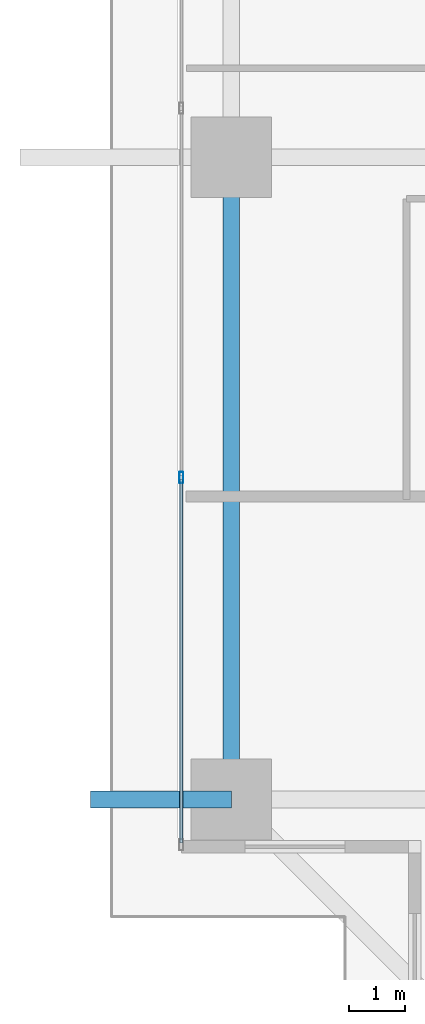
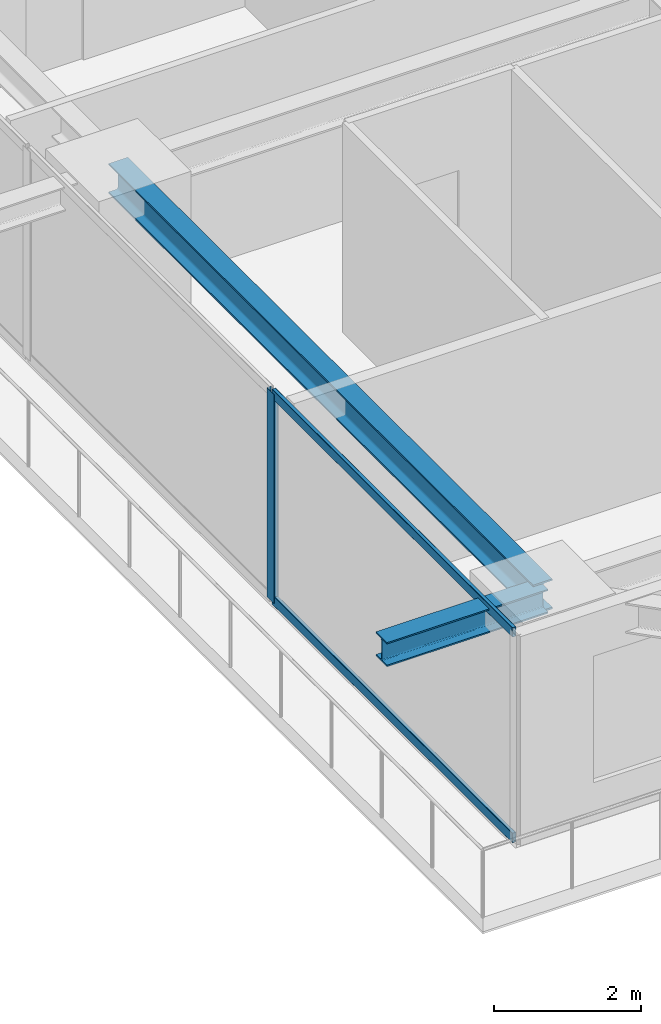
# One storey, part 3 of 39: 3 members, 2 beams, 1 element without a shape of its own.
"""IFC4 building model written with IfcOpenShell, lengths in metres."""

from ifc_helpers import new_model, si_unit, direction, frame, origin, origin_2d, place, context, subcontext, project, spatial, hollow_rectangle, i_section, extrude, source, transform, mapped, material, layer, layer_set, material_profile, profile_set, type_object, element, aggregate, save


model = new_model("IFC4")

# Units and contexts
model_context = context("Model", 3, precision=1e-05, world=origin(), true_north=direction((0.0, 1.0)))
body_context = subcontext(model_context, "Body", "Model", "MODEL_VIEW")
ifc_project = project(units=[si_unit("LENGTHUNIT", "METRE"), si_unit("AREAUNIT", "SQUARE_METRE"), si_unit("VOLUMEUNIT", "CUBIC_METRE"), si_unit("PLANEANGLEUNIT", "RADIAN"), si_unit("MASSUNIT", "GRAM", prefix="KILO")], contexts=[model_context])

# Site, building, storey
site_placement = place(None, origin())
site = spatial("IfcSite", under=ifc_project, at=site_placement, CompositionType="ELEMENT")
building_placement = place(site_placement, origin())
building = spatial("IfcBuilding", under=site, at=building_placement, Name="Serunith Strait Residences", CompositionType="ELEMENT")
storey_placement = place(building_placement, frame((0.0, 0.0, 97.949951171875)))
storey = spatial("IfcBuildingStorey", under=building, at=storey_placement, Name="L24", CompositionType="ELEMENT", Elevation=97.949951171875)

# Beams
ifc_material_1 = material(Name="Steel S355J2", Category="steel")
ifc_material_profile_1 = material_profile(ifc_material_1, i_section(OverallWidth=0.300048828125, OverallDepth=0.5, WebThickness=0.014404296875, FlangeThickness=0.028076171875, FilletRadius=0.027099609375, at=origin_2d()), Name="HEB 500")
ifc_profile_set_1 = profile_set([ifc_material_profile_1], Name="Steel S355J2")
beam_type_1 = type_object("IfcBeamType", Name="BM-HEB500", PredefinedType="BEAM", material=ifc_profile_set_1)
shared_shape_1 = source(origin(), body_context, "Body", "SweptSolid", [
    extrude(i_section(OverallWidth=0.300048828125, OverallDepth=0.5, WebThickness=0.014404296875, FlangeThickness=0.028076171875, FilletRadius=0.027099609375, at=origin_2d()), origin(), (0.0, 0.0, 1.0), 11.550048828125),
])
beam_1_placement = place(storey_placement, frame((6.89990234375, 21.0, 3.237060546875), z_axis=(0.0, -1.0, 0.0), x_axis=(1.0, 0.0, 0.0)))
element("IfcBeam", 1, at=beam_1_placement, inside=storey, type_object=beam_type_1, Name="L24 Perimeter Ring Beam 15", PredefinedType="BEAM", context=body_context, shape_type="MappedRepresentation", body=[
    mapped(shared_shape_1, transform((0.0, 0.0, 0.0), scale=1.0)),
])
ifc_material_profile_2 = material_profile(ifc_material_1, i_section(OverallWidth=0.300048828125, OverallDepth=0.39990234375, WebThickness=0.013427734375, FlangeThickness=0.02392578125, FilletRadius=0.027099609375, at=origin_2d()), Name="HEB 400")
ifc_profile_set_2 = profile_set([ifc_material_profile_2], Name="Steel S355J2")
beam_type_2 = type_object("IfcBeamType", Name="BM-HEB400", PredefinedType="BEAM", material=ifc_profile_set_2)
shared_shape_2 = source(origin(), body_context, "Body", "SweptSolid", [
    extrude(i_section(OverallWidth=0.300048828125, OverallDepth=0.39990234375, WebThickness=0.013427734375, FlangeThickness=0.02392578125, FilletRadius=0.027099609375, at=origin_2d()), origin(), (0.0, 0.0, 1.0), 2.53271484375),
])
beam_2_placement = place(storey_placement, frame((6.89990234375, 9.449951171875, 3.257080078125), z_axis=(-1.0, 0.0, 0.0), x_axis=(0.0, -1.0, 0.0)))
element("IfcBeam", 2, at=beam_2_placement, inside=storey, type_object=beam_type_2, Name="L25 Cantilevered Balcony Rib TC-W1", PredefinedType="BEAM", context=body_context, shape_type="MappedRepresentation", body=[
    mapped(shared_shape_2, transform((0.0, 0.0, 0.0), scale=1.0)),
])

# Curtain wall, members
ifc_material_2 = material(Name="Pale-Champagne Anodised Aluminium", Category="aluminium")
ifc_layer = layer(ifc_material_2, 0.199951171875, Name="Pale-Champagne Anodised Aluminium")
ifc_layer_set = layer_set([ifc_layer], Name="Pale-Champagne Anodised Aluminium")
curtain_wall_type = type_object("IfcCurtainWallType", Name="CW-SYS1", PredefinedType="NOTDEFINED", material=ifc_layer_set)
curtain_wall_placement = place(storey_placement, origin())
curtain_wall = element("IfcCurtainWall", 3, at=curtain_wall_placement, inside=storey, type_object=curtain_wall_type, Name="L24 W Unitised Fritted Curtain Wall", PredefinedType="NOTDEFINED")
ifc_material_profile_3 = material_profile(ifc_material_2, hollow_rectangle(XDim=0.070068359375, YDim=0.199951171875, WallThickness=0.00390625, InnerFilletRadius=0.006103515625, OuterFilletRadius=0.010009765625, at=origin_2d()), Name="ALU 200x70x4")
ifc_profile_set_3 = profile_set([ifc_material_profile_3], Name="Pale-Champagne Anodised Aluminium")
member_type_1 = type_object("IfcMemberType", Name="CW-SYS1-MULL", PredefinedType="MULLION", material=ifc_profile_set_3)
shared_shape_3 = source(origin(), body_context, "Body", "SweptSolid", [
    extrude(hollow_rectangle(XDim=0.070068359375, YDim=0.199951171875, WallThickness=0.00390625, InnerFilletRadius=0.006103515625, OuterFilletRadius=0.010009765625, at=origin_2d()), origin(), (0.0, 0.0, 1.0), 3.47509765625),
])
member_1_placement = place(storey_placement, frame((6.0, 15.239990234375, 0.0), z_axis=(0.0, 0.0, 1.0), x_axis=(1.0, 0.0, 0.0)))
member_1 = element("IfcMember", 4, at=member_1_placement, type_object=member_type_1, Name="CW-1 mullion 5", PredefinedType="MULLION", context=body_context, shape_type="MappedRepresentation", body=[
    mapped(shared_shape_3, transform((0.0, 0.0, 0.0), scale=1.0)),
])
ifc_material_profile_4 = material_profile(ifc_material_2, hollow_rectangle(XDim=0.06005859375, YDim=0.159912109375, WallThickness=0.00341796875, InnerFilletRadius=0.00537109375, OuterFilletRadius=0.0087890625, at=origin_2d()), Name="ALU 160x60x3.5")
ifc_profile_set_4 = profile_set([ifc_material_profile_4], Name="Pale-Champagne Anodised Aluminium")
member_type_2 = type_object("IfcMemberType", Name="CW-SYS1-TRAN", PredefinedType="USERDEFINED", material=ifc_profile_set_4)
shared_shape_4 = source(origin(), body_context, "Body", "SweptSolid", [
    extrude(hollow_rectangle(XDim=0.06005859375, YDim=0.159912109375, WallThickness=0.00341796875, InnerFilletRadius=0.00537109375, OuterFilletRadius=0.0087890625, at=origin_2d()), origin(), (0.0, 0.0, 1.0), 6.53515625),
])
member_2_placement = place(storey_placement, frame((6.0, 15.205078125, 0.030029296875), z_axis=(0.0, -1.0, 0.0), x_axis=(1.0, 0.0, 0.0)))
member_2 = element("IfcMember", 5, at=member_2_placement, type_object=member_type_2, Name="CW-1 transom 5.1", ObjectType="TRANSOM", PredefinedType="USERDEFINED", context=body_context, shape_type="MappedRepresentation", body=[
    mapped(shared_shape_4, transform((0.0, 0.0, 0.0), scale=1.0)),
])
member_3_placement = place(storey_placement, frame((6.0, 15.205078125, 3.445068359375), z_axis=(0.0, -1.0, 0.0), x_axis=(1.0, 0.0, 0.0)))
member_3 = element("IfcMember", 6, at=member_3_placement, type_object=member_type_2, Name="CW-1 transom 5.2", ObjectType="TRANSOM", PredefinedType="USERDEFINED", context=body_context, shape_type="MappedRepresentation", body=[
    mapped(shared_shape_4, transform((0.0, 0.0, 0.0), scale=1.0)),
])
aggregate(curtain_wall, [member_1, member_2, member_3])

save(model, "model.ifc")
